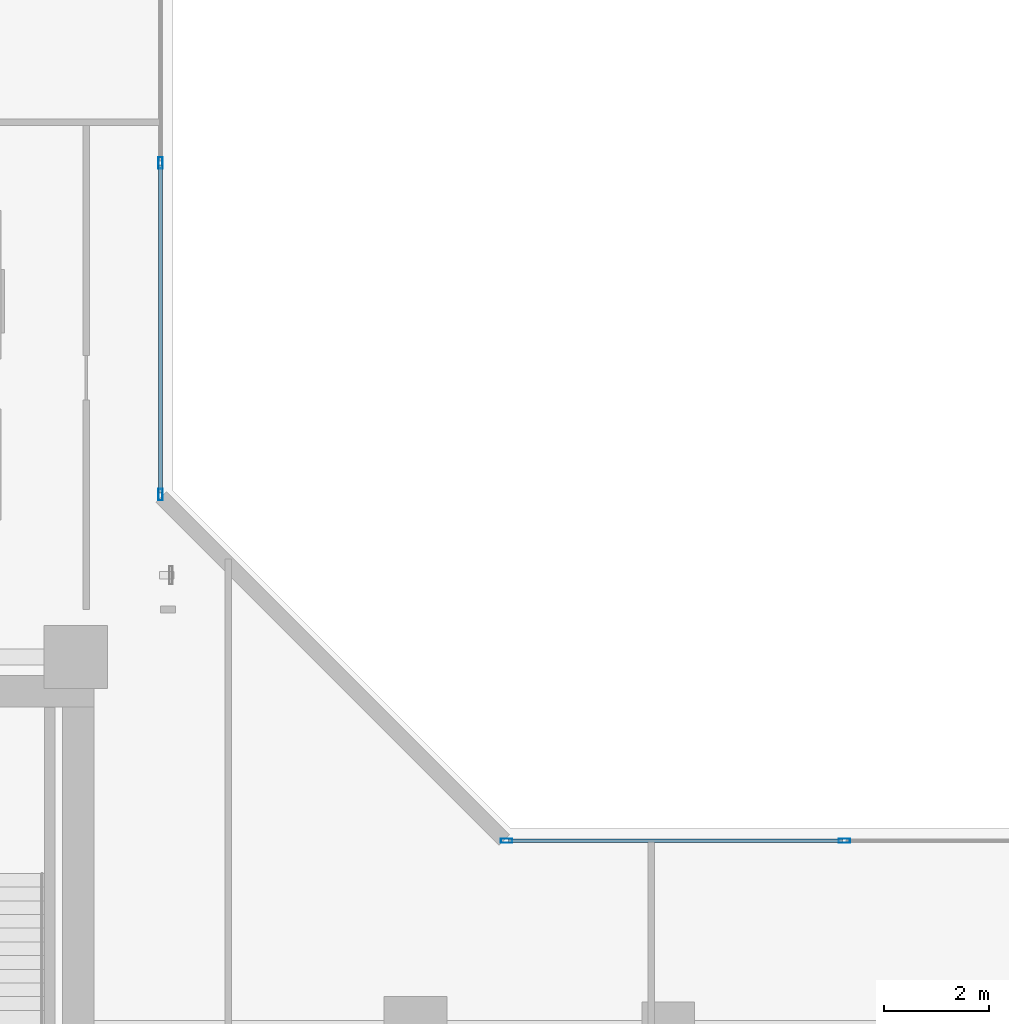
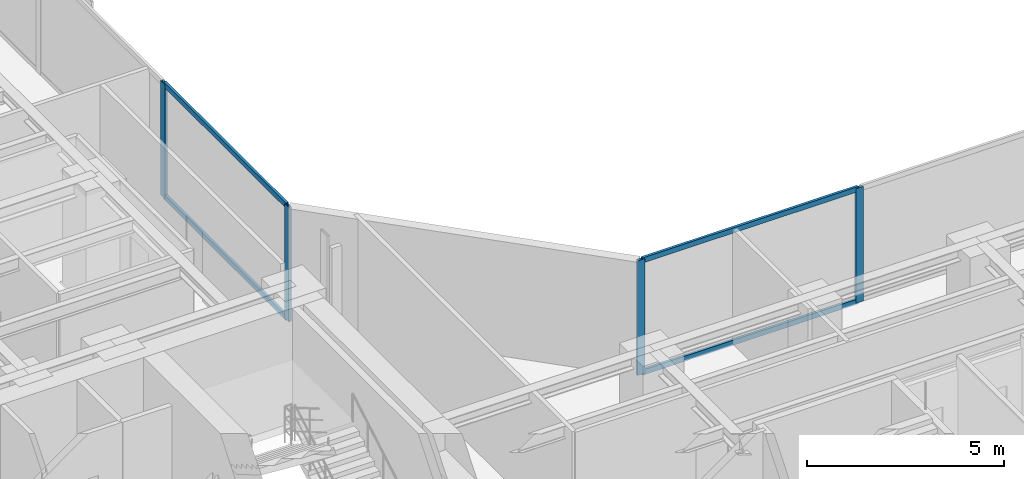
# One storey, part 10 of 27: 8 members, 2 elements without a shape of their own.
"""IFC4 building model written with IfcOpenShell, lengths in metres."""

from ifc_helpers import new_model, si_unit, direction, frame, origin, origin_with_axes, origin_2d, place, context, subcontext, project, spatial, hollow_rectangle, extrude, source, transform, mapped, material, layer, layer_set, material_profile, profile_set, type_object, element, aggregate, save


model = new_model("IFC4")

# Units and contexts
model_context = context("Model", 3, precision=1e-05, world=origin(), true_north=direction((0.0, 1.0)))
body_context = subcontext(model_context, "Body", "Model", "MODEL_VIEW")
ifc_project = project(units=[si_unit("LENGTHUNIT", "METRE"), si_unit("AREAUNIT", "SQUARE_METRE"), si_unit("VOLUMEUNIT", "CUBIC_METRE"), si_unit("PLANEANGLEUNIT", "RADIAN"), si_unit("MASSUNIT", "GRAM", prefix="KILO")], contexts=[model_context])

# Site, building, storey
site_placement = place(None, origin())
site = spatial("IfcSite", under=ifc_project, at=site_placement, CompositionType="ELEMENT")
building_placement = place(site_placement, origin())
building = spatial("IfcBuilding", under=site, at=building_placement, Name="Kolvaren Waterfront Exchange", CompositionType="ELEMENT")
storey_placement = place(building_placement, frame((0.0, 0.0, 161.39990234375)))
storey = spatial("IfcBuildingStorey", under=building, at=storey_placement, Name="L41", CompositionType="ELEMENT", Elevation=161.39990234375)

# Curtain wall, members
ifc_material_1 = material(Name="Anodised bronze aluminium 6063-T6", Category="aluminium")
ifc_layer = layer(ifc_material_1, 0.219970703125, Name="Anodised bronze aluminium 6063-T6")
ifc_layer_set = layer_set([ifc_layer], Name="Anodised bronze aluminium 6063-T6")
curtain_wall_type = type_object("IfcCurtainWallType", Name="ARC-CW-SYS1", PredefinedType="USERDEFINED", material=ifc_layer_set)
curtain_wall_1_placement = place(storey_placement, origin())
curtain_wall_1 = element("IfcCurtainWall", 1, at=curtain_wall_1_placement, inside=storey, type_object=curtain_wall_type, Name="L41 stick curtain wall CW1 (CW-L41-NE)", ObjectType="STICK CURTAIN WALL", PredefinedType="USERDEFINED")
ifc_material_2 = material(Name="Anodised aluminium 6063-T6", Category="aluminium")
ifc_material_profile_1 = material_profile(ifc_material_2, hollow_rectangle(XDim=0.080078125, YDim=0.219970703125, WallThickness=0.0048828125, at=origin_2d()), Name="ALU-MUL-220x80x5")
ifc_profile_set_1 = profile_set([ifc_material_profile_1], Name="Anodised aluminium 6063-T6")
member_type_1 = type_object("IfcMemberType", Name="ARC-CWM-220", PredefinedType="MULLION", material=ifc_profile_set_1)
shared_shape_1 = source(origin_with_axes(), body_context, "Body", "SweptSolid", [
    extrude(hollow_rectangle(XDim=0.080078125, YDim=0.219970703125, WallThickness=0.0048828125, at=origin_2d()), origin(), (0.0, 0.0, 1.0), 3.56005859375),
])
member_1_placement = place(storey_placement, frame((22.360107421875, 27.530029296875, 0.0), z_axis=(0.0, 0.0, 1.0), x_axis=(-1.0, 0.0, 0.0)))
member_1 = element("IfcMember", 2, at=member_1_placement, type_object=member_type_1, Name="CW1 mullion 1", PredefinedType="MULLION", context=body_context, shape_type="MappedRepresentation", body=[
    mapped(shared_shape_1, transform((0.0, 0.0, 0.0), x_axis=(1.0, 0.0, 0.0), y_axis=(0.0, 1.0, 0.0), z_axis=(0.0, 0.0, 1.0), scale=1.0)),
])
member_2_placement = place(storey_placement, frame((22.360107421875, 33.82666015625, 0.0), z_axis=(0.0, 0.0, 1.0), x_axis=(-1.0, 0.0, 0.0)))
member_2 = element("IfcMember", 3, at=member_2_placement, type_object=member_type_1, Name="CW1 mullion 2", PredefinedType="MULLION", context=body_context, shape_type="MappedRepresentation", body=[
    mapped(shared_shape_1, transform((0.0, 0.0, 0.0), x_axis=(1.0, 0.0, 0.0), y_axis=(0.0, 1.0, 0.0), z_axis=(0.0, 0.0, 1.0), scale=1.0)),
])

curtain_wall_2_placement = place(storey_placement, origin())
curtain_wall_2 = element("IfcCurtainWall", 4, at=curtain_wall_2_placement, inside=storey, type_object=curtain_wall_type, Name="L41 stick curtain wall CW1 (CW-L41-EN)", ObjectType="STICK CURTAIN WALL", PredefinedType="USERDEFINED")
member_3_placement = place(storey_placement, frame((28.929931640625, 20.9599609375, 0.0), z_axis=(0.0, 0.0, 1.0), x_axis=(0.0, 1.0, 0.0)))
member_3 = element("IfcMember", 5, at=member_3_placement, type_object=member_type_1, Name="CW1 mullion 1", PredefinedType="MULLION", context=body_context, shape_type="MappedRepresentation", body=[
    mapped(shared_shape_1, transform((0.0, 0.0, 0.0), x_axis=(1.0, 0.0, 0.0), y_axis=(0.0, 1.0, 0.0), z_axis=(0.0, 0.0, 1.0), scale=1.0)),
])
member_4_placement = place(storey_placement, frame((35.342529296875, 20.9599609375, 0.0), z_axis=(0.0, 0.0, 1.0), x_axis=(0.0, 1.0, 0.0)))
member_4 = element("IfcMember", 6, at=member_4_placement, type_object=member_type_1, Name="CW1 mullion 2", PredefinedType="MULLION", context=body_context, shape_type="MappedRepresentation", body=[
    mapped(shared_shape_1, transform((0.0, 0.0, 0.0), x_axis=(1.0, 0.0, 0.0), y_axis=(0.0, 1.0, 0.0), z_axis=(0.0, 0.0, 1.0), scale=1.0)),
])

# Member
ifc_material_profile_2 = material_profile(ifc_material_2, hollow_rectangle(XDim=0.074951171875, YDim=0.159912109375, WallThickness=0.00439453125, at=origin_2d()), Name="ALU-TRN-160x75x4.5")
ifc_profile_set_2 = profile_set([ifc_material_profile_2], Name="Anodised aluminium 6063-T6")
member_type_2 = type_object("IfcMemberType", Name="ARC-CWT-160", PredefinedType="USERDEFINED", material=ifc_profile_set_2)
shared_shape_2 = source(origin_with_axes(), body_context, "Body", "SweptSolid", [
    extrude(hollow_rectangle(XDim=0.074951171875, YDim=0.159912109375, WallThickness=0.00439453125, at=origin_2d()), origin(), (0.0, 0.0, 1.0), 6.216552734375),
])
member_5_placement = place(storey_placement, frame((22.360107421875, 27.570068359375, 0.03759765625), z_axis=(0.0, 1.0, 0.0), x_axis=(-1.0, 0.0, 0.0)))
member_5 = element("IfcMember", 7, at=member_5_placement, type_object=member_type_2, Name="CW1 transom 1.1", ObjectType="TRANSOM", PredefinedType="USERDEFINED", context=body_context, shape_type="MappedRepresentation", body=[
    mapped(shared_shape_2, transform((0.0, 0.0, 0.0), x_axis=(1.0, 0.0, 0.0), y_axis=(0.0, 1.0, 0.0), z_axis=(0.0, 0.0, 1.0), scale=1.0)),
])

member_6_placement = place(storey_placement, frame((22.360107421875, 27.570068359375, 3.522705078125), z_axis=(0.0, 1.0, 0.0), x_axis=(-1.0, 0.0, 0.0)))
member_6 = element("IfcMember", 8, at=member_6_placement, type_object=member_type_2, Name="CW1 transom 1.2", ObjectType="TRANSOM", PredefinedType="USERDEFINED", context=body_context, shape_type="MappedRepresentation", body=[
    mapped(shared_shape_2, transform((0.0, 0.0, 0.0), x_axis=(1.0, 0.0, 0.0), y_axis=(0.0, 1.0, 0.0), z_axis=(0.0, 0.0, 1.0), scale=1.0)),
])

aggregate(curtain_wall_1, [member_1, member_2, member_5, member_6])

shared_shape_3 = source(origin_with_axes(), body_context, "Body", "SweptSolid", [
    extrude(hollow_rectangle(XDim=0.074951171875, YDim=0.159912109375, WallThickness=0.00439453125, at=origin_2d()), origin(), (0.0, 0.0, 1.0), 6.33251953125),
])
member_7_placement = place(storey_placement, frame((28.969970703125, 20.9599609375, 0.03759765625), z_axis=(1.0, 0.0, 0.0), x_axis=(0.0, 1.0, 0.0)))
member_7 = element("IfcMember", 9, at=member_7_placement, type_object=member_type_2, Name="CW1 transom 1.1", ObjectType="TRANSOM", PredefinedType="USERDEFINED", context=body_context, shape_type="MappedRepresentation", body=[
    mapped(shared_shape_3, transform((0.0, 0.0, 0.0), x_axis=(1.0, 0.0, 0.0), y_axis=(0.0, 1.0, 0.0), z_axis=(0.0, 0.0, 1.0), scale=1.0)),
])

member_8_placement = place(storey_placement, frame((28.969970703125, 20.9599609375, 3.522705078125), z_axis=(1.0, 0.0, 0.0), x_axis=(0.0, 1.0, 0.0)))
member_8 = element("IfcMember", 10, at=member_8_placement, type_object=member_type_2, Name="CW1 transom 1.2", ObjectType="TRANSOM", PredefinedType="USERDEFINED", context=body_context, shape_type="MappedRepresentation", body=[
    mapped(shared_shape_3, transform((0.0, 0.0, 0.0), x_axis=(1.0, 0.0, 0.0), y_axis=(0.0, 1.0, 0.0), z_axis=(0.0, 0.0, 1.0), scale=1.0)),
])

aggregate(curtain_wall_2, [member_3, member_4, member_7, member_8])

save(model, "model.ifc")
